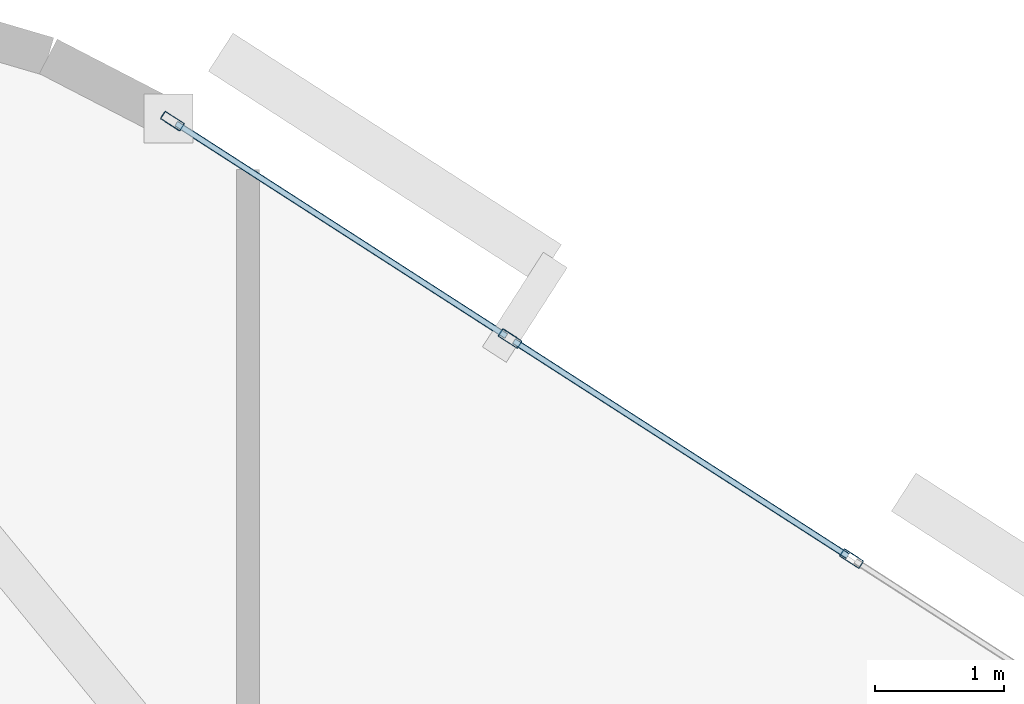
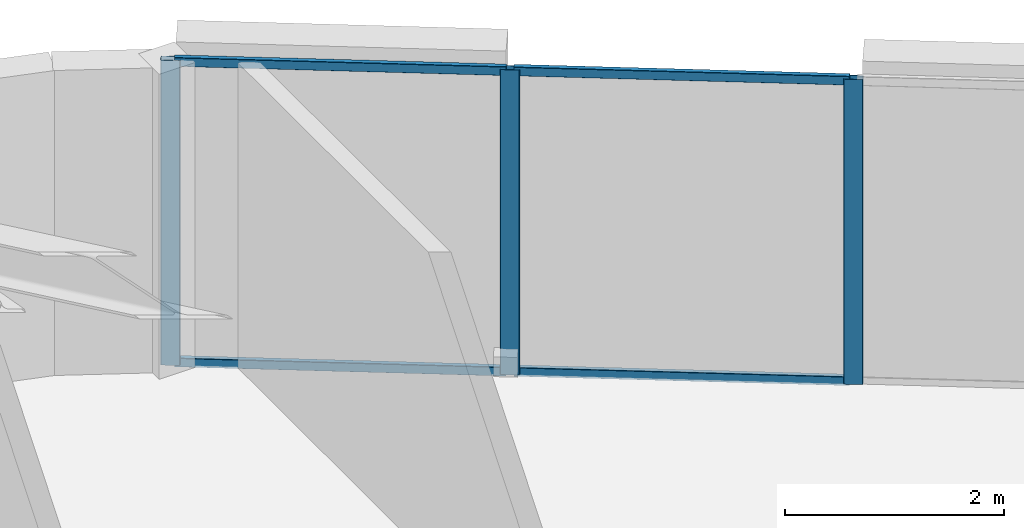
# One storey, part 6 of 13: 7 members, 1 element without a shape of its own.
"""IFC4 building model written with IfcOpenShell, lengths in metres."""

from ifc_helpers import new_model, si_unit, direction, frame, origin, origin_2d, place, context, subcontext, project, spatial, hollow_rectangle, extrude, material, layer, layer_set, material_profile, profile_set, type_object, element, aggregate, save


model = new_model("IFC4")

# Units and contexts
model_context = context("Model", 3, precision=1e-05, world=origin(), true_north=direction((0.0, 1.0)))
body_context = subcontext(model_context, "Body", "Model", "MODEL_VIEW")
ifc_project = project(units=[si_unit("LENGTHUNIT", "METRE"), si_unit("AREAUNIT", "SQUARE_METRE"), si_unit("VOLUMEUNIT", "CUBIC_METRE"), si_unit("PLANEANGLEUNIT", "RADIAN"), si_unit("MASSUNIT", "GRAM", prefix="KILO")], contexts=[model_context])

# Site, building, storey
site_placement = place(None, origin())
site = spatial("IfcSite", under=ifc_project, at=site_placement, CompositionType="ELEMENT")
building_placement = place(site_placement, origin())
building = spatial("IfcBuilding", under=site, at=building_placement, Name="An Khanh Terracotta Commons", CompositionType="ELEMENT")
storey_placement = place(building_placement, frame((0.0, 0.0, 183.39990234375)))
storey = spatial("IfcBuildingStorey", under=building, at=storey_placement, Name="L48", CompositionType="ELEMENT", Elevation=183.39990234375)

# Curtain wall, members
ifc_material = material(Name="Anodised Aluminium 6063-T6", Category="aluminium")
ifc_layer = layer(ifc_material, 0.2099609375, Name="Anodised Aluminium 6063-T6")
ifc_layer_set = layer_set([ifc_layer], Name="Anodised Aluminium 6063-T6")
curtain_wall_type = type_object("IfcCurtainWallType", Name="CW-SYS-03", PredefinedType="USERDEFINED", material=ifc_layer_set)
curtain_wall_placement = place(storey_placement, origin())
curtain_wall = element("IfcCurtainWall", 1, at=curtain_wall_placement, inside=storey, type_object=curtain_wall_type, Name="L48 CW-03 Unitised Curtain Wall CW-L48-16", ObjectType="UNITISED CURTAIN WALL", PredefinedType="USERDEFINED")
ifc_material_profile_1 = material_profile(ifc_material, hollow_rectangle(XDim=0.070068359375, YDim=0.179931640625, WallThickness=0.00390625, InnerFilletRadius=0.00390625, OuterFilletRadius=0.008056640625, at=origin_2d()), Name="RHS180x70x4")
ifc_profile_set_1 = profile_set([ifc_material_profile_1], Name="Anodised Aluminium 6063-T6")
member_type_1 = type_object("IfcMemberType", Name="CWM-RHS180x70x4", PredefinedType="MULLION", material=ifc_profile_set_1)
member_1_placement = place(storey_placement, frame((57.838623046875, 37.52392578125, 0.0), z_axis=(0.0, 0.0, 1.0), x_axis=(-0.541497931062, -0.840702081986, 0.0)))
member_1 = element("IfcMember", 2, at=member_1_placement, type_object=member_type_1, Name="CW-03 mullion 2", PredefinedType="MULLION", context=body_context, shape_type="SweptSolid", body=[
    extrude(hollow_rectangle(XDim=0.070068359375, YDim=0.179931640625, WallThickness=0.00390625, InnerFilletRadius=0.00390625, OuterFilletRadius=0.008056640625, at=origin_2d()), origin(), (0.0, 0.0, 1.0), 3.400146484375),
])
member_2_placement = place(storey_placement, frame((55.19921875, 39.22412109375, 0.0), z_axis=(0.0, 0.0, 1.0), x_axis=(-0.541497931062, -0.840702081986, 0.0)))
member_2 = element("IfcMember", 3, at=member_2_placement, type_object=member_type_1, Name="CW-03 mullion 3", PredefinedType="MULLION", context=body_context, shape_type="SweptSolid", body=[
    extrude(hollow_rectangle(XDim=0.070068359375, YDim=0.179931640625, WallThickness=0.00390625, InnerFilletRadius=0.00390625, OuterFilletRadius=0.008056640625, at=origin_2d()), origin(), (0.0, 0.0, 1.0), 3.400146484375),
])
member_3_placement = place(storey_placement, frame((52.58935546875, 40.905029296875, 0.0), z_axis=(0.0, 0.0, 1.0), x_axis=(-0.541497931062, -0.840702081986, 0.0)))
member_3 = element("IfcMember", 4, at=member_3_placement, type_object=member_type_1, Name="CW-03 mullion 4", PredefinedType="MULLION", context=body_context, shape_type="SweptSolid", body=[
    extrude(hollow_rectangle(XDim=0.070068359375, YDim=0.179931640625, WallThickness=0.00390625, InnerFilletRadius=0.00390625, OuterFilletRadius=0.008056640625, at=origin_2d()), origin(), (0.0, 0.0, 1.0), 3.400146484375),
])
ifc_material_profile_2 = material_profile(ifc_material, hollow_rectangle(XDim=0.050048828125, YDim=0.10009765625, WallThickness=0.003173828125, InnerFilletRadius=0.003173828125, OuterFilletRadius=0.00634765625, at=origin_2d()), Name="RHS100x50x3.2")
ifc_profile_set_2 = profile_set([ifc_material_profile_2], Name="Anodised Aluminium 6063-T6")
member_type_2 = type_object("IfcMemberType", Name="CWT-RHS100x50x3.2", PredefinedType="USERDEFINED", material=ifc_profile_set_2)
member_4_placement = place(storey_placement, frame((57.809326171875, 37.54296875, 0.025146484375), z_axis=(-0.840707825526, 0.54148901383, 0.0), x_axis=(-0.54148901383, -0.840707825526, 0.0)))
member_4 = element("IfcMember", 5, at=member_4_placement, type_object=member_type_2, Name="CW-03 transom 2.1", ObjectType="TRANSOM", PredefinedType="USERDEFINED", context=body_context, shape_type="SweptSolid", body=[
    extrude(hollow_rectangle(XDim=0.050048828125, YDim=0.10009765625, WallThickness=0.003173828125, InnerFilletRadius=0.003173828125, OuterFilletRadius=0.00634765625, at=origin_2d()), origin(), (0.0, 0.0, 1.0), 3.069580078125),
])
member_5_placement = place(storey_placement, frame((57.809326171875, 37.54296875, 3.375), z_axis=(-0.840707825526, 0.54148901383, 0.0), x_axis=(-0.54148901383, -0.840707825526, 0.0)))
member_5 = element("IfcMember", 6, at=member_5_placement, type_object=member_type_2, Name="CW-03 transom 2.2", ObjectType="TRANSOM", PredefinedType="USERDEFINED", context=body_context, shape_type="SweptSolid", body=[
    extrude(hollow_rectangle(XDim=0.050048828125, YDim=0.10009765625, WallThickness=0.003173828125, InnerFilletRadius=0.003173828125, OuterFilletRadius=0.00634765625, at=origin_2d()), origin(), (0.0, 0.0, 1.0), 3.069580078125),
])
member_6_placement = place(storey_placement, frame((55.169921875, 39.242919921875, 0.025146484375), z_axis=(-0.840710223453, 0.541485290826, 0.0), x_axis=(-0.541485290826, -0.840710223453, 0.0)))
member_6 = element("IfcMember", 7, at=member_6_placement, type_object=member_type_2, Name="CW-03 transom 3.1", ObjectType="TRANSOM", PredefinedType="USERDEFINED", context=body_context, shape_type="SweptSolid", body=[
    extrude(hollow_rectangle(XDim=0.050048828125, YDim=0.10009765625, WallThickness=0.003173828125, InnerFilletRadius=0.003173828125, OuterFilletRadius=0.00634765625, at=origin_2d()), origin(), (0.0, 0.0, 1.0), 3.034423828125),
])
member_7_placement = place(storey_placement, frame((55.169921875, 39.242919921875, 3.375), z_axis=(-0.840710223453, 0.541485290826, 0.0), x_axis=(-0.541485290826, -0.840710223453, 0.0)))
member_7 = element("IfcMember", 8, at=member_7_placement, type_object=member_type_2, Name="CW-03 transom 3.2", ObjectType="TRANSOM", PredefinedType="USERDEFINED", context=body_context, shape_type="SweptSolid", body=[
    extrude(hollow_rectangle(XDim=0.050048828125, YDim=0.10009765625, WallThickness=0.003173828125, InnerFilletRadius=0.003173828125, OuterFilletRadius=0.00634765625, at=origin_2d()), origin(), (0.0, 0.0, 1.0), 3.034423828125),
])
aggregate(curtain_wall, [member_1, member_2, member_3, member_4, member_5, member_6, member_7])

save(model, "model.ifc")
